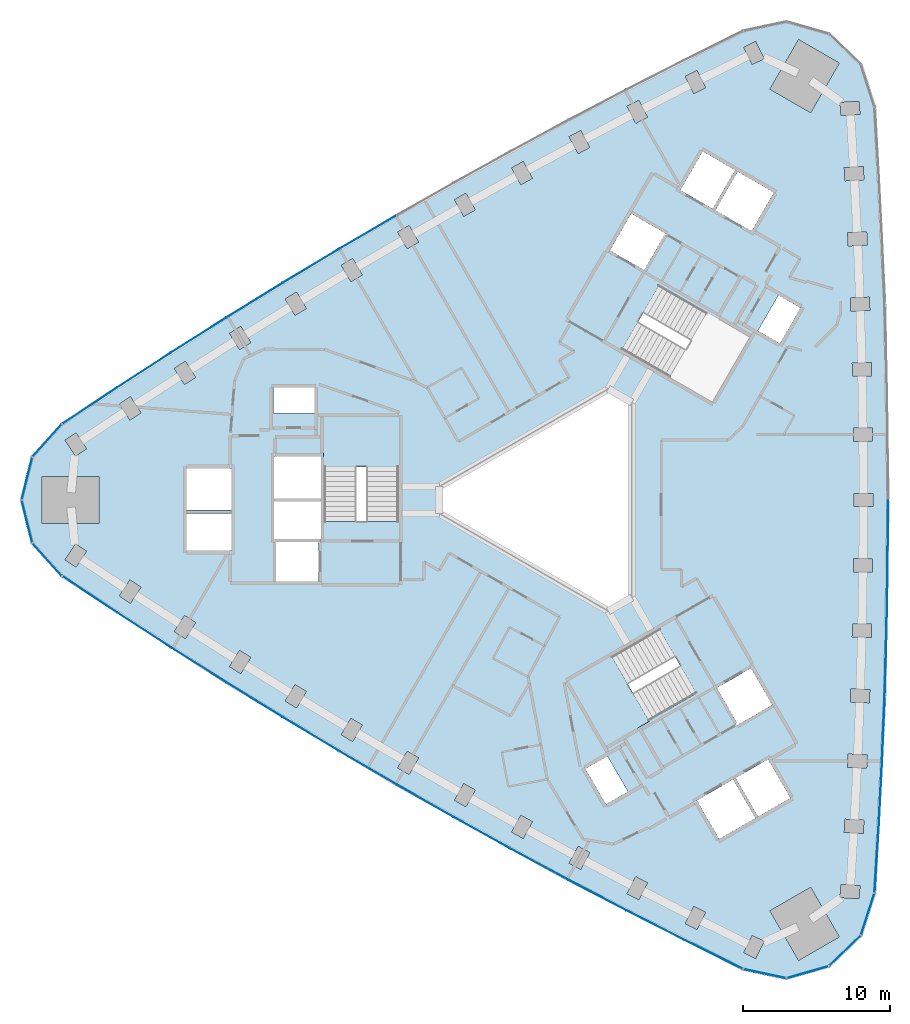
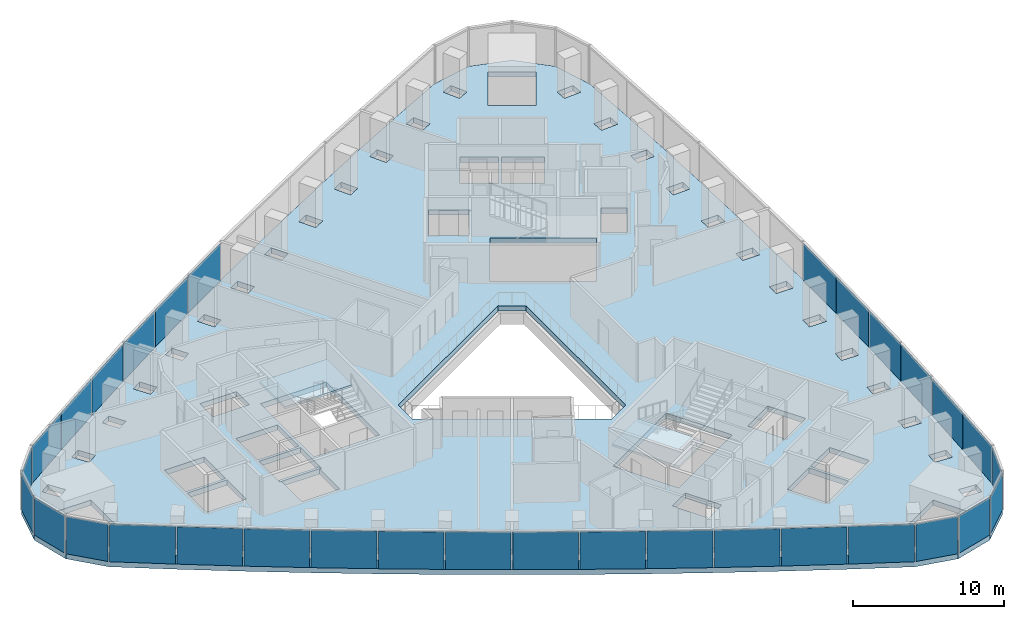
# One storey, part 6 of 12: 32 plates, 3 slabs, 5 elements without a shape of their own.
"""IFC4 building model written with IfcOpenShell, lengths in metres."""

import ifcopenshell
import ifcopenshell.guid

model = None  # the IFC model being written
_history = None  # IfcOwnerHistory: only IFC2X3 demands one
_inside = {}  # id of a spatial element -> (the spatial element, [elements in it])
_under = {}  # id of a project, library or spatial element -> (it, [spatial elements below it])
_declared = {}  # id of a project -> (the project, [libraries it declares])
_typed = {}  # id of a type object -> (the type object, [elements of that type])
_made_of = {}  # id of a material, layer set ... -> (it, [elements and type objects made of it])


def new_model(schema):
    """Start an empty IFC model of exactly this schema.

    Asked for "IFC4X3", IfcOpenShell would pick the latest addendum, in which some entities
    have other attributes; the version numbers below select the first issue.
    IFC2X3 requires an IfcOwnerHistory on every rooted entity: one is made here for all.
    """
    global model, _history
    if schema == "IFC4X3":
        model = ifcopenshell.file(schema_version=(4, 3, 0, 0))
    else:
        model = ifcopenshell.file(schema=schema)
    _inside.clear()
    _under.clear()
    _declared.clear()
    _typed.clear()
    _made_of.clear()
    _history = None
    if model.schema == "IFC2X3":
        org = make("IfcOrganization", Name="unknown")
        user = make(
            "IfcPersonAndOrganization",
            ThePerson=make("IfcPerson", FamilyName="unknown"),
            TheOrganization=org,
        )
        app = make(
            "IfcApplication",
            ApplicationDeveloper=org,
            Version="unknown",
            ApplicationFullName="unknown",
            ApplicationIdentifier="unknown",
        )
        _history = make(
            "IfcOwnerHistory",
            OwningUser=user,
            OwningApplication=app,
            ChangeAction="ADDED",
            CreationDate=0,
        )
    return model


def make(cls, **values):
    """One entity of the class cls with the attributes given. An attribute that is None is left unset."""
    return model.create_entity(
        cls, **{name: value for name, value in values.items() if value is not None}
    )


def rooted(cls, **values):
    """An entity with a GlobalId (a new one), such as an element, a storey or a relation."""
    return make(cls, GlobalId=ifcopenshell.guid.new(), OwnerHistory=_history, **values)


def si_unit(unit_type, name, prefix=None):
    """IfcSIUnit, for example si_unit("LENGTHUNIT", "METRE", prefix="MILLI")."""
    return make("IfcSIUnit", UnitType=unit_type, Prefix=prefix, Name=name)


def assignment(units):
    """IfcUnitAssignment: the units of a project."""
    return None if units is None else make("IfcUnitAssignment", Units=units)


def point(xyz):
    """IfcCartesianPoint."""
    return None if xyz is None else make("IfcCartesianPoint", Coordinates=xyz)


def direction(xyz):
    """IfcDirection."""
    return None if xyz is None else make("IfcDirection", DirectionRatios=xyz)


def frame(location, z_axis=None, x_axis=None):
    """IfcAxis2Placement3D, a coordinate frame: its origin and axes. An axis left out is left unset."""
    return make(
        "IfcAxis2Placement3D",
        Location=point(location),
        Axis=direction(z_axis),
        RefDirection=direction(x_axis),
    )


def frame_2d(location, x_axis=None):
    """IfcAxis2Placement2D, a coordinate frame in the plane: its origin and x axis."""
    return make(
        "IfcAxis2Placement2D", Location=point(location), RefDirection=direction(x_axis)
    )


def origin():
    """The frame at (0, 0, 0) with its axes left unset."""
    return frame((0.0, 0.0, 0.0))


def origin_2d():
    """The frame at (0, 0) in the plane with its x axis left unset."""
    return frame_2d((0.0, 0.0))


def place(relative_to, where):
    """IfcLocalPlacement: puts the frame where relative to a parent placement (None: the world)."""
    return make(
        "IfcLocalPlacement", PlacementRelTo=relative_to, RelativePlacement=where
    )


def context(
    kind, dimensions, precision=None, world=None, true_north=None, identifier=None
):
    """IfcGeometricRepresentationContext, for example the 3D "Model" context."""
    return make(
        "IfcGeometricRepresentationContext",
        ContextIdentifier=identifier,
        ContextType=kind,
        CoordinateSpaceDimension=dimensions,
        Precision=precision,
        WorldCoordinateSystem=world,
        TrueNorth=true_north,
    )


def subcontext(parent, identifier, kind, view, scale=None):
    """IfcGeometricRepresentationSubContext, for example "Body" below "Model"."""
    return make(
        "IfcGeometricRepresentationSubContext",
        ContextIdentifier=identifier,
        ContextType=kind,
        ParentContext=parent,
        TargetScale=scale,
        TargetView=view,
    )


def project(units=None, contexts=None):
    """IfcProject with its units and contexts."""
    return rooted(
        "IfcProject",
        Name="project",
        RepresentationContexts=contexts,
        UnitsInContext=assignment(units),
    )


def spatial(cls, under=None, at=None, **own):
    """A site, building, storey or space (cls), placed at a placement, below another one or the project."""
    s = rooted(cls, ObjectPlacement=at, **own)
    if under is not None:
        _under.setdefault(under.id(), (under, []))[1].append(s)
    return s


def polyline(points):
    """IfcPolyline through the points."""
    return make("IfcPolyline", Points=[point(p) for p in points])


def profile(cls, at=None, kind="AREA", **sizes):
    """A parametric profile (cls). Its sizes go by their IFC names, for example OverallWidth=200.0."""
    return make(cls, ProfileType=kind, Position=at, **sizes)


def rectangle(**sizes):
    """IfcRectangleProfileDef."""
    return profile("IfcRectangleProfileDef", **sizes)


def outline(outer, holes=None, kind="AREA"):
    """IfcArbitraryClosedProfileDef: a profile drawn as a closed curve; with holes, ...WithVoids."""
    if holes is None:
        return make("IfcArbitraryClosedProfileDef", ProfileType=kind, OuterCurve=outer)
    return make(
        "IfcArbitraryProfileDefWithVoids",
        ProfileType=kind,
        OuterCurve=outer,
        InnerCurves=holes,
    )


def extrude(swept, where, along, depth):
    """IfcExtrudedAreaSolid: the profile swept, set in the frame where, extruded along a direction by depth."""
    return make(
        "IfcExtrudedAreaSolid",
        SweptArea=swept,
        Position=where,
        ExtrudedDirection=direction(along),
        Depth=depth,
    )


def shape(context_of_items, identifier, shape_type, items):
    """IfcShapeRepresentation: the items that make up one representation, for example the "Body"."""
    return make(
        "IfcShapeRepresentation",
        ContextOfItems=context_of_items,
        RepresentationIdentifier=identifier,
        RepresentationType=shape_type,
        Items=items,
    )


def material(Name=None, Category=None):
    """IfcMaterial."""
    return make("IfcMaterial", Name=Name, Category=Category)


def layer(
    of_material, thickness, ventilated=None, Name=None, Category=None, Priority=None
):
    """IfcMaterialLayer: one layer of a wall or slab, of a material (None: an air gap)."""
    return make(
        "IfcMaterialLayer",
        Material=of_material,
        LayerThickness=thickness,
        IsVentilated=ventilated,
        Name=Name,
        Category=Category,
        Priority=Priority,
    )


def layer_set(layers, Name=None):
    """IfcMaterialLayerSet."""
    return make("IfcMaterialLayerSet", MaterialLayers=layers, LayerSetName=Name)


def made_of(thing, what):
    """Note that an element or type object is made of a material, layer set ...; save() writes the relation."""
    if what is not None:
        _made_of.setdefault(what.id(), (what, []))[1].append(thing)
    return thing


def type_object(cls, material=None, **own):
    """A type object (cls), such as IfcWallType, which elements share."""
    return made_of(rooted(cls, **own), material)


def element(
    cls,
    number,
    at=None,
    inside=None,
    cuts=None,
    type_object=None,
    material=None,
    context=None,
    identifier="Body",
    shape_type=None,
    held_by="IfcProductDefinitionShape",
    body=None,
    shapes=None,
    **own,
):
    """One element of the class cls, such as IfcWall. Its Tag is "e" and its number.

    at: its placement. inside: the storey or other place that contains it. cuts: it is an
    opening in that element (IfcRelVoidsElement). A single representation is given by context,
    identifier, shape_type and body (its items); several are given by shapes. held_by: the class
    of the entity that holds the representations. save() writes the other relations.
    """
    e = rooted(cls, Tag="e%d" % number, ObjectPlacement=at, **own)
    if body is not None:
        shapes = [shape(context, identifier, shape_type, body)]
    if shapes is not None:
        e.Representation = make(held_by, Representations=shapes)
    if inside is not None:
        _inside.setdefault(inside.id(), (inside, []))[1].append(e)
    if cuts is not None:
        rooted(
            "IfcRelVoidsElement", RelatingBuildingElement=cuts, RelatedOpeningElement=e
        )
    if type_object is not None:
        _typed.setdefault(type_object.id(), (type_object, []))[1].append(e)
    return made_of(e, material)


def aggregate(whole, parts):
    """IfcRelAggregates: a whole, such as a stair, and the parts it consists of."""
    return rooted("IfcRelAggregates", RelatingObject=whole, RelatedObjects=parts)


def save(model, path):
    """Write the relations noted so far, then the file.

    IfcRelAggregates (storeys below a building ...), IfcRelContainedInSpatialStructure (elements
    in a storey), IfcRelDefinesByType, IfcRelAssociatesMaterial and IfcRelDeclares: one each for
    every whole, place, type object, material and project.
    """
    for whole, parts in _under.values():
        aggregate(whole, parts)
    for where, things in _inside.values():
        rooted(
            "IfcRelContainedInSpatialStructure",
            RelatedElements=things,
            RelatingStructure=where,
        )
    for kind, things in _typed.values():
        rooted("IfcRelDefinesByType", RelatedObjects=things, RelatingType=kind)
    for what, things in _made_of.values():
        rooted("IfcRelAssociatesMaterial", RelatedObjects=things, RelatingMaterial=what)
    for by, libraries in _declared.values():
        rooted("IfcRelDeclares", RelatingContext=by, RelatedDefinitions=libraries)
    model.write(path)


model = new_model("IFC4")

# Units and contexts
model_context = context("Model", 3, precision=1e-05, world=origin(), true_north=direction((0.0, 1.0)))
body_context = subcontext(model_context, "Body", "Model", "MODEL_VIEW")
ifc_project = project(units=[si_unit("LENGTHUNIT", "METRE"), si_unit("AREAUNIT", "SQUARE_METRE"), si_unit("VOLUMEUNIT", "CUBIC_METRE"), si_unit("PLANEANGLEUNIT", "RADIAN"), si_unit("MASSUNIT", "GRAM", prefix="KILO")], contexts=[model_context])

# Site, building, storey
site_placement = place(None, origin())
site = spatial("IfcSite", under=ifc_project, at=site_placement, CompositionType="ELEMENT")
building_placement = place(site_placement, origin())
building = spatial("IfcBuilding", under=site, at=building_placement, Name="Tamra Quay Hotel Tower", CompositionType="ELEMENT")
storey_placement = place(building_placement, frame((0.0, 0.0, 83.0)))
storey = spatial("IfcBuildingStorey", under=building, at=storey_placement, Name="L19", CompositionType="ELEMENT", Elevation=83.0)

# Stair, slab
ifc_material_1 = material(Name="Exit stair 2200 24 risers 150.0 going 342")
stair_type = type_object("IfcStairType", Name="Exit stair 2200 24 risers 150.0 going 342", PredefinedType="HALF_TURN_STAIR", material=ifc_material_1)
stair_1_placement = place(storey_placement, origin())
stair_1 = element("IfcStair", 1, at=stair_1_placement, inside=storey, type_object=stair_type, Name="L19 Exit stair ST3", PredefinedType="HALF_TURN_STAIR")
ifc_material_2 = material(Name="Concrete M70", Category="concrete")
ifc_layer_1 = layer(ifc_material_2, 0.175048828125)
ifc_layer_set_1 = layer_set([ifc_layer_1], Name="Concrete M70 stair landing 180")
slab_type_1 = type_object("IfcSlabType", Name="Concrete M70 stair landing 180", PredefinedType="LANDING", material=ifc_layer_set_1)
slab_1_placement = place(storey_placement, frame((0.0, 0.0, 1.625)))
slab_1 = element("IfcSlab", 2, at=slab_1_placement, type_object=slab_type_1, Name="ST3 landing 1", PredefinedType="LANDING", context=body_context, shape_type="SweptSolid", body=[
    extrude(outline(polyline([(-10.932373046875, 2.261962890625), (-10.932373046875, 5.679931640625), (-16.09130859375, 5.679931640625), (-16.09130859375, 2.261962890625), (-10.932373046875, 2.261962890625)])), origin(), (0.0, 0.0, 1.0), 0.175048828125),
])
aggregate(stair_1, [slab_1])

stair_2_placement = place(storey_placement, origin())
stair_2 = element("IfcStair", 3, at=stair_2_placement, inside=storey, type_object=stair_type, Name="L19 Exit stair ST2", PredefinedType="HALF_TURN_STAIR")
slab_2_placement = place(storey_placement, frame((0.0, 0.0, 1.625)))
slab_2 = element("IfcSlab", 4, at=slab_2_placement, type_object=slab_type_1, Name="ST2 landing 1", PredefinedType="LANDING", context=body_context, shape_type="SweptSolid", body=[
    extrude(outline(polyline([(3.50732421875, -10.5986328125), (0.547119140625, -12.3076171875), (3.126708984375, -16.775390625), (6.086669921875, -15.06640625), (3.50732421875, -10.5986328125)])), origin(), (0.0, 0.0, 1.0), 0.175048828125),
])
aggregate(stair_2, [slab_2])

# Slab
ifc_material_3 = material(Name="Concrete M60", Category="concrete")
ifc_layer_2 = layer(ifc_material_3, 0.425048828125)
ifc_layer_set_2 = layer_set([ifc_layer_2], Name="FLOOR SLAB PT 425")
slab_type_2 = type_object("IfcSlabType", Name="FLOOR SLAB PT 425", PredefinedType="FLOOR", material=ifc_layer_set_2)
slab_3_placement = place(storey_placement, frame((0.0, 0.0, -0.425048828125)))
element("IfcSlab", 5, at=slab_3_placement, inside=storey, type_object=slab_type_2, Name="SLAB-L19", PredefinedType="FLOOR", context=body_context, shape_type="SweptSolid", body=[
    extrude(outline(polyline([(21.696044921875, 22.307861328125), (21.92529296875, 17.849853515625), (22.103515625, 13.389404296875), (22.23095703125, 8.92724609375), (22.3076171875, 4.4638671875), (22.3330078125, 0.0), (22.3076171875, -4.4638671875), (22.23095703125, -8.92724609375), (22.103515625, -13.389404296875), (21.92529296875, -17.849853515625), (21.696044921875, -22.307861328125), (21.41650390625, -26.762451171875), (20.48779296875, -29.6328125), (18.31884765625, -31.729248046875), (15.418701171875, -32.559326171875), (12.46875, -31.928466796875), (8.47119140625, -29.943359375), (4.49560546875, -27.91259765625), (0.543701171875, -25.8369140625), (-3.38427734375, -23.71630859375), (-7.287841796875, -21.55078125), (-11.16650390625, -19.3408203125), (-15.01953125, -17.0869140625), (-18.8466796875, -14.7890625), (-22.647216796875, -12.447509765625), (-26.4208984375, -10.06298828125), (-30.167236328125, -7.635498046875), (-33.88525390625, -5.166015625), (-35.906494140625, -2.9267578125), (-36.6376953125, 0.0), (-35.906494140625, 2.9267578125), (-33.88525390625, 5.166015625), (-30.167236328125, 7.635498046875), (-26.4208984375, 10.06298828125), (-22.647216796875, 12.447509765625), (-18.8466796875, 14.7890625), (-15.01953125, 17.0869140625), (-11.16650390625, 19.3408203125), (-7.287841796875, 21.55078125), (-3.38427734375, 23.71630859375), (0.543701171875, 25.8369140625), (4.49560546875, 27.91259765625), (8.47119140625, 29.943359375), (12.46875, 31.928466796875), (15.418701171875, 32.559326171875), (18.31884765625, 31.729248046875), (20.48779296875, 29.6328125), (21.41650390625, 26.762451171875), (21.696044921875, 22.307861328125)]), holes=[polyline([(-14.884521484375, -15.9765625), (-14.1103515625, -16.435302734375), (-13.447509765625, -15.317138671875), (-14.2216796875, -14.858154296875), (-14.884521484375, -15.9765625)]), polyline([(-18.0234375, -12.569580078125), (-18.698974609375, -13.680419921875), (-17.929931640625, -14.14794921875), (-17.25439453125, -13.037353515625), (-18.0234375, -12.569580078125)]), polyline([(-21.798583984375, -10.23779296875), (-22.487060546875, -11.340576171875), (-21.723388671875, -11.817138671875), (-21.03515625, -10.714111328125), (-21.798583984375, -10.23779296875)]), polyline([(-25.547119140625, -7.86279296875), (-26.248046875, -8.9580078125), (-25.489990234375, -9.443115234375), (-24.789306640625, -8.34814453125), (-25.547119140625, -7.86279296875)]), polyline([(-29.268310546875, -5.445556640625), (-29.981689453125, -6.532470703125), (-29.229248046875, -7.026123046875), (-28.51611328125, -5.939453125), (-29.268310546875, -5.445556640625)]), polyline([(-16.3173828125, -2.85498046875), (-19.4072265625, -2.85498046875), (-19.4072265625, -2.89306640625), (-19.307373046875, -2.89306640625), (-19.307373046875, -5.544921875), (-16.417236328125, -5.544921875), (-16.417236328125, -2.89306640625), (-16.3173828125, -2.89306640625), (-16.3173828125, -2.85498046875)]), polyline([(-32.96240234375, -2.986083984375), (-33.6875, -4.06494140625), (-32.9404296875, -4.56689453125), (-32.215576171875, -3.488037109375), (-32.96240234375, -2.986083984375)]), polyline([(-22.3671875, -3.445068359375), (-22.3671875, -0.905029296875), (-25.4072265625, -0.905029296875), (-25.4072265625, -3.445068359375), (-22.3671875, -3.445068359375)]), polyline([(-19.417236328125, -2.89306640625), (-19.417236328125, -2.64501953125), (-16.307373046875, -2.64501953125), (-16.307373046875, -2.89306640625), (-16.26708984375, -2.89306640625), (-16.26708984375, -0.10498046875), (-19.45751953125, -0.10498046875), (-19.45751953125, -2.89306640625), (-19.417236328125, -2.89306640625)]), polyline([(-31.36376953125, 1.60009765625), (-35.263671875, 1.60009765625), (-35.263671875, -1.60009765625), (-31.36376953125, -1.60009765625), (-31.36376953125, 1.60009765625)]), polyline([(-25.4072265625, -0.695068359375), (-22.3671875, -0.695068359375), (-22.3671875, 2.14501953125), (-25.4072265625, 2.14501953125), (-25.4072265625, -0.695068359375)]), polyline([(-19.45751953125, 0.10498046875), (-16.26708984375, 0.10498046875), (-16.26708984375, 2.945068359375), (-19.45751953125, 2.945068359375), (-19.45751953125, 0.10498046875)]), polyline([(-16.036376953125, -1.455078125), (-10.9873046875, -1.455078125), (-10.9873046875, 5.625), (-16.036376953125, 5.625), (-16.036376953125, -1.455078125)]), polyline([(-32.215576171875, 3.488037109375), (-32.9404296875, 4.56689453125), (-33.6875, 4.06494140625), (-32.96240234375, 2.986083984375), (-32.215576171875, 3.488037109375)]), polyline([(-28.51611328125, 5.939453125), (-29.229248046875, 7.026123046875), (-29.981689453125, 6.532470703125), (-29.268310546875, 5.445556640625), (-28.51611328125, 5.939453125)]), polyline([(-19.50732421875, 7.64501953125), (-19.50732421875, 5.9150390625), (-16.71728515625, 5.9150390625), (-16.71728515625, 7.64501953125), (-19.50732421875, 7.64501953125)]), polyline([(-24.789306640625, 8.34814453125), (-25.489990234375, 9.443115234375), (-26.248046875, 8.9580078125), (-25.547119140625, 7.86279296875), (-24.789306640625, 8.34814453125)]), polyline([(-21.03515625, 10.714111328125), (-21.723388671875, 11.817138671875), (-22.487060546875, 11.340576171875), (-21.798583984375, 10.23779296875), (-21.03515625, 10.714111328125)]), polyline([(-17.25439453125, 13.037353515625), (-17.929931640625, 14.14794921875), (-18.698974609375, 13.680419921875), (-18.0234375, 12.569580078125), (-17.25439453125, 13.037353515625)]), polyline([(-13.447509765625, 15.317138671875), (-14.1103515625, 16.435302734375), (-14.884521484375, 15.9765625), (-14.2216796875, 14.858154296875), (-13.447509765625, 15.317138671875)]), polyline([(9.1142578125, -27.665283203125), (8.52978515625, -28.826416015625), (9.33349609375, -29.231201171875), (9.918212890625, -28.070068359375), (9.1142578125, -27.665283203125)]), polyline([(5.164794921875, -25.64208984375), (4.567138671875, -26.79638671875), (5.3662109375, -27.210205078125), (5.964111328125, -26.055908203125), (5.164794921875, -25.64208984375)]), polyline([(1.23876953125, -23.57421875), (0.627685546875, -24.721435546875), (1.422119140625, -25.14453125), (2.033203125, -23.9970703125), (1.23876953125, -23.57421875)]), polyline([(-2.663330078125, -21.46142578125), (-3.28759765625, -22.601806640625), (-2.498046875, -23.033935546875), (-1.873779296875, -21.8935546875), (-2.663330078125, -21.46142578125)]), polyline([(13.3056640625, -21.65576171875), (11.78564453125, -19.02294921875), (9.325927734375, -20.443115234375), (10.845947265625, -23.075927734375), (13.3056640625, -21.65576171875)]), polyline([(-6.541259765625, -19.304443359375), (-7.17822265625, -20.437744140625), (-6.393798828125, -20.878662109375), (-5.756591796875, -19.74560546875), (-6.541259765625, -19.304443359375)]), polyline([(1.73779296875, -18.300048828125), (3.1328125, -20.71630859375), (4.631103515625, -19.851318359375), (3.236083984375, -17.43505859375), (1.73779296875, -18.300048828125)]), polyline([(-10.394287109375, -17.103271484375), (-11.044189453125, -18.22900390625), (-10.264892578125, -18.67919921875), (-9.61474609375, -17.55322265625), (-10.394287109375, -17.103271484375)]), polyline([(10.68115234375, -12.790283203125), (12.05615234375, -15.171875), (11.969482421875, -15.2216796875), (12.03955078125, -15.343017578125), (14.455810546875, -13.947998046875), (13.0107421875, -11.4453125), (10.68115234375, -12.790283203125)]), polyline([(9.2783203125, -13.160400390625), (6.75390625, -8.78759765625), (0.622314453125, -12.32763671875), (3.146728515625, -16.7001953125), (9.2783203125, -13.160400390625)]), polyline([(-8.199951171875, 0.923828125), (-8.199951171875, -0.923828125), (3.300048828125, -7.563232421875), (4.89990234375, -6.639404296875), (4.89990234375, 6.639404296875), (3.300048828125, 7.563232421875), (-8.199951171875, 0.923828125)]), polyline([(6.758056640625, 14.615478515625), (4.2333984375, 10.242919921875), (10.364990234375, 6.702880859375), (12.889404296875, 11.075439453125), (6.758056640625, 14.615478515625)]), polyline([(5.736083984375, 15.645263671875), (7.111083984375, 18.02685546875), (7.19775390625, 17.976806640625), (7.267578125, 18.09814453125), (4.8515625, 19.4931640625), (3.406494140625, 16.990234375), (5.736083984375, 15.645263671875)]), polyline([(-9.61474609375, 17.55322265625), (-10.264892578125, 18.67919921875), (-11.044189453125, 18.22900390625), (-10.394287109375, 17.103271484375), (-9.61474609375, 17.55322265625)]), polyline([(-5.756591796875, 19.74560546875), (-6.393798828125, 20.878662109375), (-7.17822265625, 20.437744140625), (-6.541259765625, 19.304443359375), (-5.756591796875, 19.74560546875)]), polyline([(8.2001953125, 21.093017578125), (10.39990234375, 19.822998046875), (11.919921875, 22.455810546875), (9.72021484375, 23.725830078125), (8.2001953125, 21.093017578125)]), polyline([(-1.873779296875, 21.8935546875), (-2.498046875, 23.033935546875), (-3.28759765625, 22.601806640625), (-2.663330078125, 21.46142578125), (-1.873779296875, 21.8935546875)]), polyline([(2.033203125, 23.9970703125), (1.422119140625, 25.14453125), (0.627685546875, 24.721435546875), (1.23876953125, 23.57421875), (2.033203125, 23.9970703125)]), polyline([(5.964111328125, 26.055908203125), (5.3662109375, 27.210205078125), (4.567138671875, 26.79638671875), (5.164794921875, 25.64208984375), (5.964111328125, 26.055908203125)]), polyline([(9.918212890625, 28.070068359375), (9.33349609375, 29.231201171875), (8.52978515625, 28.826416015625), (9.1142578125, 27.665283203125), (9.918212890625, 28.070068359375)]), polyline([(13.0869140625, -29.643310546875), (12.51513671875, -30.810791015625), (13.323486328125, -31.206787109375), (13.895263671875, -30.039306640625), (13.0869140625, -29.643310546875)]), polyline([(14.296142578125, -27.9619140625), (16.24609375, -31.339111328125), (19.017333984375, -29.7392578125), (17.0673828125, -26.36181640625), (14.296142578125, -27.9619140625)]), polyline([(19.067138671875, -27.05322265625), (20.3642578125, -27.141845703125), (20.42529296875, -26.243896484375), (19.12841796875, -26.155517578125), (19.067138671875, -27.05322265625)]), polyline([(19.350341796875, -22.624267578125), (20.648193359375, -22.698486328125), (20.699462890625, -21.800048828125), (19.401611328125, -21.725830078125), (19.350341796875, -22.624267578125)]), polyline([(14.1669921875, -17.648193359375), (11.96728515625, -18.91796875), (13.487548828125, -21.55078125), (15.68701171875, -20.281005859375), (14.1669921875, -17.648193359375)]), polyline([(20.8818359375, -18.25244140625), (20.9228515625, -17.353515625), (19.624267578125, -17.2939453125), (19.5830078125, -18.193115234375), (20.8818359375, -18.25244140625)]), polyline([(19.765380859375, -13.75927734375), (21.064697265625, -13.803955078125), (21.095703125, -12.904541015625), (19.79638671875, -12.85986328125), (19.765380859375, -13.75927734375)]), polyline([(19.897216796875, -9.323974609375), (21.197021484375, -9.353759765625), (21.217529296875, -8.453857421875), (19.91796875, -8.424072265625), (19.897216796875, -9.323974609375)]), polyline([(19.978515625, -4.88720703125), (21.2783203125, -4.902099609375), (21.288818359375, -4.002197265625), (19.98876953125, -3.9873046875), (19.978515625, -4.88720703125)]), polyline([(20.009033203125, -0.449951171875), (21.30908203125, -0.449951171875), (21.30908203125, 0.449951171875), (20.009033203125, 0.449951171875), (20.009033203125, -0.449951171875)]), polyline([(19.98876953125, 3.9873046875), (21.288818359375, 4.002197265625), (21.2783203125, 4.902099609375), (19.978515625, 4.88720703125), (19.98876953125, 3.9873046875)]), polyline([(19.91796875, 8.424072265625), (21.217529296875, 8.453857421875), (21.197021484375, 9.353759765625), (19.897216796875, 9.323974609375), (19.91796875, 8.424072265625)]), polyline([(14.9794921875, 10.655029296875), (16.37451171875, 13.0712890625), (14.876220703125, 13.936279296875), (13.481201171875, 11.52001953125), (14.9794921875, 10.655029296875)]), polyline([(19.79638671875, 12.85986328125), (21.095703125, 12.904541015625), (21.064697265625, 13.803955078125), (19.765380859375, 13.75927734375), (19.79638671875, 12.85986328125)]), polyline([(19.624267578125, 17.2939453125), (20.9228515625, 17.353515625), (20.8818359375, 18.25244140625), (19.5830078125, 18.193115234375), (19.624267578125, 17.2939453125)]), polyline([(12.101806640625, 22.350830078125), (10.58154296875, 19.718017578125), (13.041259765625, 18.298095703125), (14.561279296875, 20.930908203125), (12.101806640625, 22.350830078125)]), polyline([(19.401611328125, 21.725830078125), (20.699462890625, 21.800048828125), (20.648193359375, 22.698486328125), (19.350341796875, 22.624267578125), (19.401611328125, 21.725830078125)]), polyline([(19.12841796875, 26.155517578125), (20.42529296875, 26.243896484375), (20.3642578125, 27.141845703125), (19.067138671875, 27.05322265625), (19.12841796875, 26.155517578125)]), polyline([(17.0673828125, 26.36181640625), (19.017333984375, 29.7392578125), (16.24609375, 31.339111328125), (14.296142578125, 27.9619140625), (17.0673828125, 26.36181640625)]), polyline([(13.895263671875, 30.039306640625), (13.323486328125, 31.206787109375), (12.51513671875, 30.810791015625), (13.0869140625, 29.643310546875), (13.895263671875, 30.039306640625)])]), origin(), (0.0, 0.0, 1.0), 0.425048828125),
])

# Curtain wall, plates
ifc_material_4 = material(Name="Aluminium 6063 anodised dark grey", Category="aluminium")
curtain_wall_type_1 = type_object("IfcCurtainWallType", Name="CW1 CURTAIN WALL", PredefinedType="NOTDEFINED", material=ifc_material_4)
curtain_wall_1_placement = place(storey_placement, origin())
curtain_wall_1 = element("IfcCurtainWall", 6, at=curtain_wall_1_placement, inside=storey, type_object=curtain_wall_type_1, Name="CW1 east face L19", PredefinedType="NOTDEFINED")
ifc_material_5 = material(Name="Glass clear laminated low-iron", Category="glass")
ifc_layer_3 = layer(ifc_material_5, 0.033935546875)
ifc_layer_set_3 = layer_set([ifc_layer_3], Name="GLASS PANEL CW1 Z2")
plate_type_1 = type_object("IfcPlateType", Name="GLASS PANEL CW1 Z2", PredefinedType="CURTAIN_PANEL", material=ifc_layer_set_3)
plate_1_placement = place(storey_placement, frame((21.556396484375, -24.53515625, 0.0), z_axis=(0.0, 0.0, 1.0), x_axis=(0.062670105733, 0.998034296929, 0.0)))
plate_1 = element("IfcPlate", 7, at=plate_1_placement, type_object=plate_type_1, Name="CW1 glass L19.E.1", PredefinedType="CURTAIN_PANEL", context=body_context, shape_type="SweptSolid", body=[
    extrude(rectangle(XDim=4.363525390625, YDim=0.033935546875, at=origin_2d()), origin(), (0.0, 0.0, 1.0), 3.034912109375),
])
plate_2_placement = place(storey_placement, frame((21.810791015625, -20.078857421875, 0.0), z_axis=(0.0, 0.0, 1.0), x_axis=(0.051320550821, 0.998682232276, 0.0)))
plate_2 = element("IfcPlate", 8, at=plate_2_placement, type_object=plate_type_1, Name="CW1 glass L19.E.2", PredefinedType="CURTAIN_PANEL", context=body_context, shape_type="SweptSolid", body=[
    extrude(rectangle(XDim=4.364013671875, YDim=0.033935546875, at=origin_2d()), origin(), (0.0, 0.0, 1.0), 3.034912109375),
])
plate_3_placement = place(storey_placement, frame((22.014404296875, -15.61962890625, 0.0), z_axis=(0.0, 0.0, 1.0), x_axis=(0.039943755239, 0.999201929751, 0.0)))
plate_3 = element("IfcPlate", 9, at=plate_3_placement, type_object=plate_type_1, Name="CW1 glass L19.E.3", PredefinedType="CURTAIN_PANEL", context=body_context, shape_type="SweptSolid", body=[
    extrude(rectangle(XDim=4.364013671875, YDim=0.033935546875, at=origin_2d()), origin(), (0.0, 0.0, 1.0), 3.034912109375),
])
plate_4_placement = place(storey_placement, frame((22.167236328125, -11.158203125, 0.0), z_axis=(0.0, 0.0, 1.0), x_axis=(0.028546238865, 0.999592473084, 0.0)))
plate_4 = element("IfcPlate", 10, at=plate_4_placement, type_object=plate_type_1, Name="CW1 glass L19.E.4", PredefinedType="CURTAIN_PANEL", context=body_context, shape_type="SweptSolid", body=[
    extrude(rectangle(XDim=4.364013671875, YDim=0.033935546875, at=origin_2d()), origin(), (0.0, 0.0, 1.0), 3.034912109375),
])
plate_5_placement = place(storey_placement, frame((22.269287109375, -6.695556640625, 0.0), z_axis=(0.0, 0.0, 1.0), x_axis=(0.017133900698, 0.999853203949, 0.0)))
plate_5 = element("IfcPlate", 11, at=plate_5_placement, type_object=plate_type_1, Name="CW1 glass L19.E.5", PredefinedType="CURTAIN_PANEL", context=body_context, shape_type="SweptSolid", body=[
    extrude(rectangle(XDim=4.364013671875, YDim=0.033935546875, at=origin_2d()), origin(), (0.0, 0.0, 1.0), 3.034912109375),
])
plate_6_placement = place(storey_placement, frame((22.3203125, -2.23193359375, 0.0), z_axis=(0.0, 0.0, 1.0), x_axis=(0.005712677225, 0.999983682526, 0.0)))
plate_6 = element("IfcPlate", 12, at=plate_6_placement, type_object=plate_type_1, Name="CW1 glass L19.E.6", PredefinedType="CURTAIN_PANEL", context=body_context, shape_type="SweptSolid", body=[
    extrude(rectangle(XDim=4.364013671875, YDim=0.033935546875, at=origin_2d()), origin(), (0.0, 0.0, 1.0), 3.034912109375),
])
aggregate(curtain_wall_1, [plate_1, plate_2, plate_3, plate_4, plate_5, plate_6])

curtain_wall_type_2 = type_object("IfcCurtainWallType", Name="CW2 CURTAIN WALL", PredefinedType="NOTDEFINED", material=ifc_material_4)
curtain_wall_2_placement = place(storey_placement, origin())
curtain_wall_2 = element("IfcCurtainWall", 13, at=curtain_wall_2_placement, inside=storey, type_object=curtain_wall_type_2, Name="CW2 north-west face L19", PredefinedType="NOTDEFINED")
ifc_layer_4 = layer(ifc_material_5, 0.033935546875)
ifc_layer_set_4 = layer_set([ifc_layer_4], Name="GLASS PANEL CW2 Z2")
plate_type_2 = type_object("IfcPlateType", Name="GLASS PANEL CW2 Z2", PredefinedType="CURTAIN_PANEL", material=ifc_layer_set_4)
plate_7_placement = place(storey_placement, frame((-13.093017578125, 18.2138671875, 0.0), z_axis=(0.0, 0.0, 1.0), x_axis=(-0.863154933825, -0.504939164863, 0.0)))
plate_7 = element("IfcPlate", 14, at=plate_7_placement, type_object=plate_type_2, Name="CW2 glass L19.NW.7", PredefinedType="CURTAIN_PANEL", context=body_context, shape_type="SweptSolid", body=[
    extrude(rectangle(XDim=4.364013671875, YDim=0.033935546875, at=origin_2d()), origin(), (0.0, 0.0, 1.0), 3.034912109375),
])
plate_8_placement = place(storey_placement, frame((-16.93310546875, 15.93798828125, 0.0), z_axis=(0.0, 0.0, 1.0), x_axis=(-0.857331324326, -0.514764995245, 0.0)))
plate_8 = element("IfcPlate", 15, at=plate_8_placement, type_object=plate_type_2, Name="CW2 glass L19.NW.8", PredefinedType="CURTAIN_PANEL", context=body_context, shape_type="SweptSolid", body=[
    extrude(rectangle(XDim=4.364013671875, YDim=0.033935546875, at=origin_2d()), origin(), (0.0, 0.0, 1.0), 3.034912109375),
])
plate_9_placement = place(storey_placement, frame((-20.7470703125, 13.6181640625, 0.0), z_axis=(0.0, 0.0, 1.0), x_axis=(-0.85139935569, -0.524518004582, 0.0)))
plate_9 = element("IfcPlate", 16, at=plate_9_placement, type_object=plate_type_2, Name="CW2 glass L19.NW.9", PredefinedType="CURTAIN_PANEL", context=body_context, shape_type="SweptSolid", body=[
    extrude(rectangle(XDim=4.364013671875, YDim=0.033935546875, at=origin_2d()), origin(), (0.0, 0.0, 1.0), 3.034912109375),
])
plate_10_placement = place(storey_placement, frame((-24.5341796875, 11.255126953125, 0.0), z_axis=(0.0, 0.0, 1.0), x_axis=(-0.845362377055, -0.534193271635, 0.0)))
plate_10 = element("IfcPlate", 17, at=plate_10_placement, type_object=plate_type_2, Name="CW2 glass L19.NW.10", PredefinedType="CURTAIN_PANEL", context=body_context, shape_type="SweptSolid", body=[
    extrude(rectangle(XDim=4.364013671875, YDim=0.033935546875, at=origin_2d()), origin(), (0.0, 0.0, 1.0), 3.034912109375),
])
plate_11_placement = place(storey_placement, frame((-28.294189453125, 8.84912109375, 0.0), z_axis=(0.0, 0.0, 1.0), x_axis=(-0.839223908048, -0.543786016885, 0.0)))
plate_11 = element("IfcPlate", 18, at=plate_11_placement, type_object=plate_type_2, Name="CW2 glass L19.NW.11", PredefinedType="CURTAIN_PANEL", context=body_context, shape_type="SweptSolid", body=[
    extrude(rectangle(XDim=4.364013671875, YDim=0.033935546875, at=origin_2d()), origin(), (0.0, 0.0, 1.0), 3.034912109375),
])
plate_12_placement = place(storey_placement, frame((-32.026123046875, 6.400634765625, 0.0), z_axis=(0.0, 0.0, 1.0), x_axis=(-0.832988002122, -0.553291052088, 0.0)))
plate_12 = element("IfcPlate", 19, at=plate_12_placement, type_object=plate_type_2, Name="CW2 glass L19.NW.12", PredefinedType="CURTAIN_PANEL", context=body_context, shape_type="SweptSolid", body=[
    extrude(rectangle(XDim=4.363525390625, YDim=0.033935546875, at=origin_2d()), origin(), (0.0, 0.0, 1.0), 3.034912109375),
])
plate_13_placement = place(storey_placement, frame((-34.89599609375, 4.04638671875, 0.0), z_axis=(0.0, 0.0, 1.0), x_axis=(-0.670087934649, -0.742281725383, 0.0)))
plate_13 = element("IfcPlate", 20, at=plate_13_placement, type_object=plate_type_2, Name="CW2 glass L19.NW.13", PredefinedType="CURTAIN_PANEL", context=body_context, shape_type="SweptSolid", body=[
    extrude(rectangle(XDim=2.916748046875, YDim=0.033935546875, at=origin_2d()), origin(), (0.0, 0.0, 1.0), 3.034912109375),
])
plate_14_placement = place(storey_placement, frame((-36.272216796875, 1.46337890625, 0.0), z_axis=(0.0, 0.0, 1.0), x_axis=(-0.242338764242, -0.970191694123, 0.0)))
plate_14 = element("IfcPlate", 21, at=plate_14_placement, type_object=plate_type_2, Name="CW2 glass L19.NW.14", PredefinedType="CURTAIN_PANEL", context=body_context, shape_type="SweptSolid", body=[
    extrude(rectangle(XDim=2.916748046875, YDim=0.033935546875, at=origin_2d()), origin(), (0.0, 0.0, 1.0), 3.034912109375),
])
plate_15_placement = place(storey_placement, frame((-36.272216796875, -1.46337890625, 0.0), z_axis=(0.0, 0.0, 1.0), x_axis=(0.242338764242, -0.970191694123, 0.0)))
plate_15 = element("IfcPlate", 22, at=plate_15_placement, type_object=plate_type_2, Name="CW2 glass L19.NW.15", PredefinedType="CURTAIN_PANEL", context=body_context, shape_type="SweptSolid", body=[
    extrude(rectangle(XDim=2.916748046875, YDim=0.033935546875, at=origin_2d()), origin(), (0.0, 0.0, 1.0), 3.034912109375),
])
plate_16_placement = place(storey_placement, frame((-34.89599609375, -4.04638671875, 0.0), z_axis=(0.0, 0.0, 1.0), x_axis=(0.670087934649, -0.742281725383, 0.0)))
plate_16 = element("IfcPlate", 23, at=plate_16_placement, type_object=plate_type_2, Name="CW2 glass L19.NW.16", PredefinedType="CURTAIN_PANEL", context=body_context, shape_type="SweptSolid", body=[
    extrude(rectangle(XDim=2.916748046875, YDim=0.033935546875, at=origin_2d()), origin(), (0.0, 0.0, 1.0), 3.034912109375),
])
aggregate(curtain_wall_2, [plate_7, plate_8, plate_9, plate_10, plate_11, plate_12, plate_13, plate_14, plate_15, plate_16])

curtain_wall_type_3 = type_object("IfcCurtainWallType", Name="CW3 CURTAIN WALL", PredefinedType="NOTDEFINED", material=ifc_material_4)
curtain_wall_3_placement = place(storey_placement, origin())
curtain_wall_3 = element("IfcCurtainWall", 24, at=curtain_wall_3_placement, inside=storey, type_object=curtain_wall_type_3, Name="CW3 south-west face L19", PredefinedType="NOTDEFINED")
ifc_layer_5 = layer(ifc_material_5, 0.033935546875)
ifc_layer_set_5 = layer_set([ifc_layer_5], Name="GLASS PANEL CW3 Z2")
plate_type_3 = type_object("IfcPlateType", Name="GLASS PANEL CW3 Z2", PredefinedType="CURTAIN_PANEL", material=ifc_layer_set_5)
plate_17_placement = place(storey_placement, frame((-32.026123046875, -6.400634765625, 0.0), z_axis=(0.0, 0.0, 1.0), x_axis=(0.832988002122, -0.553291052088, 0.0)))
plate_17 = element("IfcPlate", 25, at=plate_17_placement, type_object=plate_type_3, Name="CW3 glass L19.SW.1", PredefinedType="CURTAIN_PANEL", context=body_context, shape_type="SweptSolid", body=[
    extrude(rectangle(XDim=4.363525390625, YDim=0.033935546875, at=origin_2d()), origin(), (0.0, 0.0, 1.0), 3.034912109375),
])
plate_18_placement = place(storey_placement, frame((-28.294189453125, -8.84912109375, 0.0), z_axis=(0.0, 0.0, 1.0), x_axis=(0.839223908048, -0.543786016885, 0.0)))
plate_18 = element("IfcPlate", 26, at=plate_18_placement, type_object=plate_type_3, Name="CW3 glass L19.SW.2", PredefinedType="CURTAIN_PANEL", context=body_context, shape_type="SweptSolid", body=[
    extrude(rectangle(XDim=4.364013671875, YDim=0.033935546875, at=origin_2d()), origin(), (0.0, 0.0, 1.0), 3.034912109375),
])
plate_19_placement = place(storey_placement, frame((-24.5341796875, -11.255126953125, 0.0), z_axis=(0.0, 0.0, 1.0), x_axis=(0.845362377055, -0.534193271635, 0.0)))
plate_19 = element("IfcPlate", 27, at=plate_19_placement, type_object=plate_type_3, Name="CW3 glass L19.SW.3", PredefinedType="CURTAIN_PANEL", context=body_context, shape_type="SweptSolid", body=[
    extrude(rectangle(XDim=4.364013671875, YDim=0.033935546875, at=origin_2d()), origin(), (0.0, 0.0, 1.0), 3.034912109375),
])
plate_20_placement = place(storey_placement, frame((-20.7470703125, -13.6181640625, 0.0), z_axis=(0.0, 0.0, 1.0), x_axis=(0.85139935569, -0.524518004582, 0.0)))
plate_20 = element("IfcPlate", 28, at=plate_20_placement, type_object=plate_type_3, Name="CW3 glass L19.SW.4", PredefinedType="CURTAIN_PANEL", context=body_context, shape_type="SweptSolid", body=[
    extrude(rectangle(XDim=4.364013671875, YDim=0.033935546875, at=origin_2d()), origin(), (0.0, 0.0, 1.0), 3.034912109375),
])
plate_21_placement = place(storey_placement, frame((-16.93310546875, -15.93798828125, 0.0), z_axis=(0.0, 0.0, 1.0), x_axis=(0.857331324326, -0.514764995245, 0.0)))
plate_21 = element("IfcPlate", 29, at=plate_21_placement, type_object=plate_type_3, Name="CW3 glass L19.SW.5", PredefinedType="CURTAIN_PANEL", context=body_context, shape_type="SweptSolid", body=[
    extrude(rectangle(XDim=4.364013671875, YDim=0.033935546875, at=origin_2d()), origin(), (0.0, 0.0, 1.0), 3.034912109375),
])
plate_22_placement = place(storey_placement, frame((-13.093017578125, -18.2138671875, 0.0), z_axis=(0.0, 0.0, 1.0), x_axis=(0.863154933825, -0.504939164863, 0.0)))
plate_22 = element("IfcPlate", 30, at=plate_22_placement, type_object=plate_type_3, Name="CW3 glass L19.SW.6", PredefinedType="CURTAIN_PANEL", context=body_context, shape_type="SweptSolid", body=[
    extrude(rectangle(XDim=4.364013671875, YDim=0.033935546875, at=origin_2d()), origin(), (0.0, 0.0, 1.0), 3.034912109375),
])
plate_23_placement = place(storey_placement, frame((-9.227294921875, -20.44580078125, 0.0), z_axis=(0.0, 0.0, 1.0), x_axis=(0.86886761105, -0.495044517663, 0.0)))
plate_23 = element("IfcPlate", 31, at=plate_23_placement, type_object=plate_type_3, Name="CW3 glass L19.SW.7", PredefinedType="CURTAIN_PANEL", context=body_context, shape_type="SweptSolid", body=[
    extrude(rectangle(XDim=4.364013671875, YDim=0.033935546875, at=origin_2d()), origin(), (0.0, 0.0, 1.0), 3.034912109375),
])
plate_24_placement = place(storey_placement, frame((-5.336181640625, -22.633544921875, 0.0), z_axis=(0.0, 0.0, 1.0), x_axis=(0.874465225024, -0.485088208704, 0.0)))
plate_24 = element("IfcPlate", 32, at=plate_24_placement, type_object=plate_type_3, Name="CW3 glass L19.SW.8", PredefinedType="CURTAIN_PANEL", context=body_context, shape_type="SweptSolid", body=[
    extrude(rectangle(XDim=4.364013671875, YDim=0.033935546875, at=origin_2d()), origin(), (0.0, 0.0, 1.0), 3.034912109375),
])
plate_25_placement = place(storey_placement, frame((-1.420166015625, -24.776611328125, 0.0), z_axis=(0.0, 0.0, 1.0), x_axis=(0.879945594555, -0.475074468502, 0.0)))
plate_25 = element("IfcPlate", 33, at=plate_25_placement, type_object=plate_type_3, Name="CW3 glass L19.SW.9", PredefinedType="CURTAIN_PANEL", context=body_context, shape_type="SweptSolid", body=[
    extrude(rectangle(XDim=4.364013671875, YDim=0.033935546875, at=origin_2d()), origin(), (0.0, 0.0, 1.0), 3.034912109375),
])
plate_26_placement = place(storey_placement, frame((2.519775390625, -26.874755859375, 0.0), z_axis=(0.0, 0.0, 1.0), x_axis=(0.885306132294, -0.465008658116, 0.0)))
plate_26 = element("IfcPlate", 34, at=plate_26_placement, type_object=plate_type_3, Name="CW3 glass L19.SW.10", PredefinedType="CURTAIN_PANEL", context=body_context, shape_type="SweptSolid", body=[
    extrude(rectangle(XDim=4.364013671875, YDim=0.033935546875, at=origin_2d()), origin(), (0.0, 0.0, 1.0), 3.034912109375),
])
plate_27_placement = place(storey_placement, frame((6.4833984375, -28.927978515625, 0.0), z_axis=(0.0, 0.0, 1.0), x_axis=(0.89054445887, -0.454896215391, 0.0)))
plate_27 = element("IfcPlate", 35, at=plate_27_placement, type_object=plate_type_3, Name="CW3 glass L19.SW.11", PredefinedType="CURTAIN_PANEL", context=body_context, shape_type="SweptSolid", body=[
    extrude(rectangle(XDim=4.364013671875, YDim=0.033935546875, at=origin_2d()), origin(), (0.0, 0.0, 1.0), 3.034912109375),
])
plate_28_placement = place(storey_placement, frame((10.469970703125, -30.935791015625, 0.0), z_axis=(0.0, 0.0, 1.0), x_axis=(0.895658107856, -0.444743244842, 0.0)))
plate_28 = element("IfcPlate", 36, at=plate_28_placement, type_object=plate_type_3, Name="CW3 glass L19.SW.12", PredefinedType="CURTAIN_PANEL", context=body_context, shape_type="SweptSolid", body=[
    extrude(rectangle(XDim=4.363525390625, YDim=0.033935546875, at=origin_2d()), origin(), (0.0, 0.0, 1.0), 3.034912109375),
])
plate_29_placement = place(storey_placement, frame((13.94384765625, -32.243896484375, 0.0), z_axis=(0.0, 0.0, 1.0), x_axis=(0.977878798271, -0.209172311484, 0.0)))
plate_29 = element("IfcPlate", 37, at=plate_29_placement, type_object=plate_type_3, Name="CW3 glass L19.SW.13", PredefinedType="CURTAIN_PANEL", context=body_context, shape_type="SweptSolid", body=[
    extrude(rectangle(XDim=2.916748046875, YDim=0.033935546875, at=origin_2d()), origin(), (0.0, 0.0, 1.0), 3.034912109375),
])
plate_30_placement = place(storey_placement, frame((16.868896484375, -32.144287109375, 0.0), z_axis=(0.0, 0.0, 1.0), x_axis=(0.961380035772, 0.275224320906, 0.0)))
plate_30 = element("IfcPlate", 38, at=plate_30_placement, type_object=plate_type_3, Name="CW3 glass L19.SW.14", PredefinedType="CURTAIN_PANEL", context=body_context, shape_type="SweptSolid", body=[
    extrude(rectangle(XDim=2.916748046875, YDim=0.033935546875, at=origin_2d()), origin(), (0.0, 0.0, 1.0), 3.034912109375),
])
plate_31_placement = place(storey_placement, frame((19.4033203125, -30.680908203125, 0.0), z_axis=(0.0, 0.0, 1.0), x_axis=(0.71904127153, 0.694967373217, 0.0)))
plate_31 = element("IfcPlate", 39, at=plate_31_placement, type_object=plate_type_3, Name="CW3 glass L19.SW.15", PredefinedType="CURTAIN_PANEL", context=body_context, shape_type="SweptSolid", body=[
    extrude(rectangle(XDim=2.916748046875, YDim=0.033935546875, at=origin_2d()), origin(), (0.0, 0.0, 1.0), 3.034912109375),
])
plate_32_placement = place(storey_placement, frame((20.9521484375, -28.197509765625, 0.0), z_axis=(0.0, 0.0, 1.0), x_axis=(0.307790863622, 0.951454036867, 0.0)))
plate_32 = element("IfcPlate", 40, at=plate_32_placement, type_object=plate_type_3, Name="CW3 glass L19.SW.16", PredefinedType="CURTAIN_PANEL", context=body_context, shape_type="SweptSolid", body=[
    extrude(rectangle(XDim=2.916748046875, YDim=0.033935546875, at=origin_2d()), origin(), (0.0, 0.0, 1.0), 3.034912109375),
])
aggregate(curtain_wall_3, [plate_17, plate_18, plate_19, plate_20, plate_21, plate_22, plate_23, plate_24, plate_25, plate_26, plate_27, plate_28, plate_29, plate_30, plate_31, plate_32])

save(model, "model.ifc")
